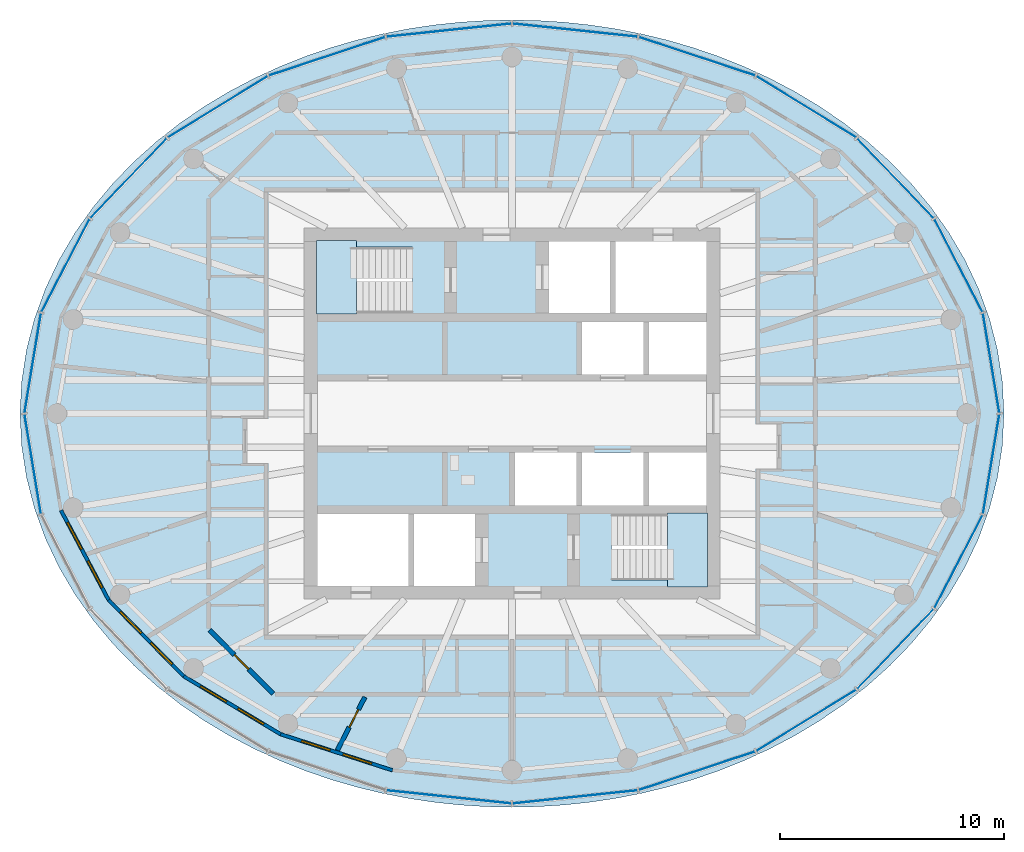
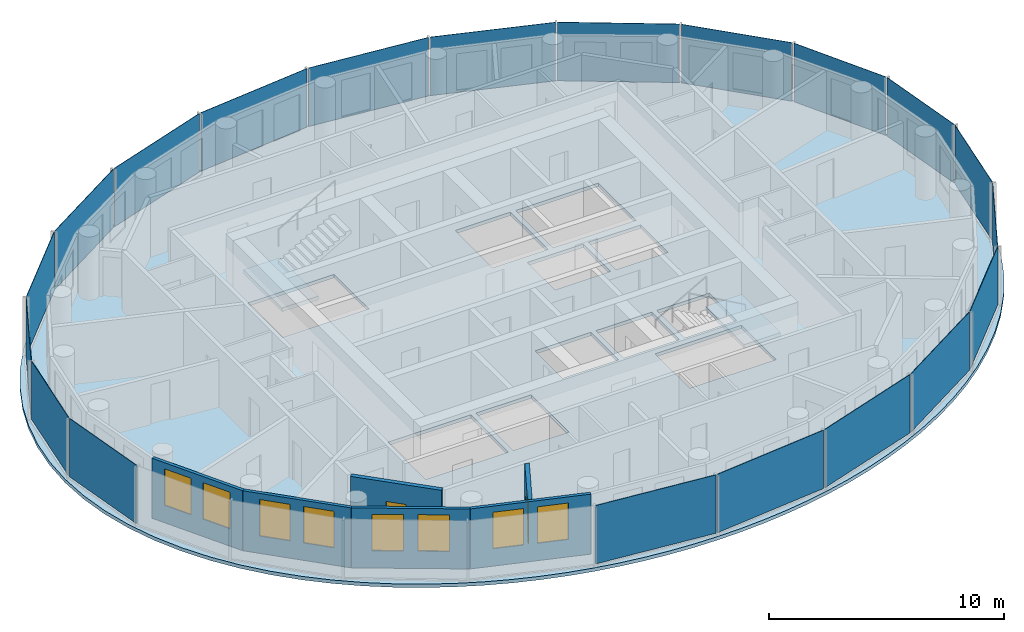
# One storey, part 4 of 12: 20 plates, 8 windows, 6 walls, 3 slabs, 2 doors, 10 openings, 6 elements without a shape of their own.
"""IFC4 building model written with IfcOpenShell, lengths in metres."""

import ifcopenshell
import ifcopenshell.guid

model = None  # the IFC model being written
_history = None  # IfcOwnerHistory: only IFC2X3 demands one
_inside = {}  # id of a spatial element -> (the spatial element, [elements in it])
_under = {}  # id of a project, library or spatial element -> (it, [spatial elements below it])
_declared = {}  # id of a project -> (the project, [libraries it declares])
_typed = {}  # id of a type object -> (the type object, [elements of that type])
_made_of = {}  # id of a material, layer set ... -> (it, [elements and type objects made of it])


def new_model(schema):
    """Start an empty IFC model of exactly this schema.

    Asked for "IFC4X3", IfcOpenShell would pick the latest addendum, in which some entities
    have other attributes; the version numbers below select the first issue.
    IFC2X3 requires an IfcOwnerHistory on every rooted entity: one is made here for all.
    """
    global model, _history
    if schema == "IFC4X3":
        model = ifcopenshell.file(schema_version=(4, 3, 0, 0))
    else:
        model = ifcopenshell.file(schema=schema)
    _inside.clear()
    _under.clear()
    _declared.clear()
    _typed.clear()
    _made_of.clear()
    _history = None
    if model.schema == "IFC2X3":
        org = make("IfcOrganization", Name="unknown")
        user = make(
            "IfcPersonAndOrganization",
            ThePerson=make("IfcPerson", FamilyName="unknown"),
            TheOrganization=org,
        )
        app = make(
            "IfcApplication",
            ApplicationDeveloper=org,
            Version="unknown",
            ApplicationFullName="unknown",
            ApplicationIdentifier="unknown",
        )
        _history = make(
            "IfcOwnerHistory",
            OwningUser=user,
            OwningApplication=app,
            ChangeAction="ADDED",
            CreationDate=0,
        )
    return model


def make(cls, **values):
    """One entity of the class cls with the attributes given. An attribute that is None is left unset."""
    return model.create_entity(
        cls, **{name: value for name, value in values.items() if value is not None}
    )


def rooted(cls, **values):
    """An entity with a GlobalId (a new one), such as an element, a storey or a relation."""
    return make(cls, GlobalId=ifcopenshell.guid.new(), OwnerHistory=_history, **values)


def si_unit(unit_type, name, prefix=None):
    """IfcSIUnit, for example si_unit("LENGTHUNIT", "METRE", prefix="MILLI")."""
    return make("IfcSIUnit", UnitType=unit_type, Prefix=prefix, Name=name)


def assignment(units):
    """IfcUnitAssignment: the units of a project."""
    return None if units is None else make("IfcUnitAssignment", Units=units)


def point(xyz):
    """IfcCartesianPoint."""
    return None if xyz is None else make("IfcCartesianPoint", Coordinates=xyz)


def direction(xyz):
    """IfcDirection."""
    return None if xyz is None else make("IfcDirection", DirectionRatios=xyz)


def frame(location, z_axis=None, x_axis=None):
    """IfcAxis2Placement3D, a coordinate frame: its origin and axes. An axis left out is left unset."""
    return make(
        "IfcAxis2Placement3D",
        Location=point(location),
        Axis=direction(z_axis),
        RefDirection=direction(x_axis),
    )


def frame_2d(location, x_axis=None):
    """IfcAxis2Placement2D, a coordinate frame in the plane: its origin and x axis."""
    return make(
        "IfcAxis2Placement2D", Location=point(location), RefDirection=direction(x_axis)
    )


def origin():
    """The frame at (0, 0, 0) with its axes left unset."""
    return frame((0.0, 0.0, 0.0))


def origin_2d():
    """The frame at (0, 0) in the plane with its x axis left unset."""
    return frame_2d((0.0, 0.0))


def place(relative_to, where):
    """IfcLocalPlacement: puts the frame where relative to a parent placement (None: the world)."""
    return make(
        "IfcLocalPlacement", PlacementRelTo=relative_to, RelativePlacement=where
    )


def context(
    kind, dimensions, precision=None, world=None, true_north=None, identifier=None
):
    """IfcGeometricRepresentationContext, for example the 3D "Model" context."""
    return make(
        "IfcGeometricRepresentationContext",
        ContextIdentifier=identifier,
        ContextType=kind,
        CoordinateSpaceDimension=dimensions,
        Precision=precision,
        WorldCoordinateSystem=world,
        TrueNorth=true_north,
    )


def subcontext(parent, identifier, kind, view, scale=None):
    """IfcGeometricRepresentationSubContext, for example "Body" below "Model"."""
    return make(
        "IfcGeometricRepresentationSubContext",
        ContextIdentifier=identifier,
        ContextType=kind,
        ParentContext=parent,
        TargetScale=scale,
        TargetView=view,
    )


def project(units=None, contexts=None):
    """IfcProject with its units and contexts."""
    return rooted(
        "IfcProject",
        Name="project",
        RepresentationContexts=contexts,
        UnitsInContext=assignment(units),
    )


def spatial(cls, under=None, at=None, **own):
    """A site, building, storey or space (cls), placed at a placement, below another one or the project."""
    s = rooted(cls, ObjectPlacement=at, **own)
    if under is not None:
        _under.setdefault(under.id(), (under, []))[1].append(s)
    return s


def polyline(points):
    """IfcPolyline through the points."""
    return make("IfcPolyline", Points=[point(p) for p in points])


def profile(cls, at=None, kind="AREA", **sizes):
    """A parametric profile (cls). Its sizes go by their IFC names, for example OverallWidth=200.0."""
    return make(cls, ProfileType=kind, Position=at, **sizes)


def rectangle(**sizes):
    """IfcRectangleProfileDef."""
    return profile("IfcRectangleProfileDef", **sizes)


def outline(outer, holes=None, kind="AREA"):
    """IfcArbitraryClosedProfileDef: a profile drawn as a closed curve; with holes, ...WithVoids."""
    if holes is None:
        return make("IfcArbitraryClosedProfileDef", ProfileType=kind, OuterCurve=outer)
    return make(
        "IfcArbitraryProfileDefWithVoids",
        ProfileType=kind,
        OuterCurve=outer,
        InnerCurves=holes,
    )


def extrude(swept, where, along, depth):
    """IfcExtrudedAreaSolid: the profile swept, set in the frame where, extruded along a direction by depth."""
    return make(
        "IfcExtrudedAreaSolid",
        SweptArea=swept,
        Position=where,
        ExtrudedDirection=direction(along),
        Depth=depth,
    )


def shape(context_of_items, identifier, shape_type, items):
    """IfcShapeRepresentation: the items that make up one representation, for example the "Body"."""
    return make(
        "IfcShapeRepresentation",
        ContextOfItems=context_of_items,
        RepresentationIdentifier=identifier,
        RepresentationType=shape_type,
        Items=items,
    )


def material(Name=None, Category=None):
    """IfcMaterial."""
    return make("IfcMaterial", Name=Name, Category=Category)


def layer(
    of_material, thickness, ventilated=None, Name=None, Category=None, Priority=None
):
    """IfcMaterialLayer: one layer of a wall or slab, of a material (None: an air gap)."""
    return make(
        "IfcMaterialLayer",
        Material=of_material,
        LayerThickness=thickness,
        IsVentilated=ventilated,
        Name=Name,
        Category=Category,
        Priority=Priority,
    )


def layer_set(layers, Name=None):
    """IfcMaterialLayerSet."""
    return make("IfcMaterialLayerSet", MaterialLayers=layers, LayerSetName=Name)


def made_of(thing, what):
    """Note that an element or type object is made of a material, layer set ...; save() writes the relation."""
    if what is not None:
        _made_of.setdefault(what.id(), (what, []))[1].append(thing)
    return thing


def type_object(cls, material=None, **own):
    """A type object (cls), such as IfcWallType, which elements share."""
    return made_of(rooted(cls, **own), material)


def element(
    cls,
    number,
    at=None,
    inside=None,
    cuts=None,
    type_object=None,
    material=None,
    context=None,
    identifier="Body",
    shape_type=None,
    held_by="IfcProductDefinitionShape",
    body=None,
    shapes=None,
    **own,
):
    """One element of the class cls, such as IfcWall. Its Tag is "e" and its number.

    at: its placement. inside: the storey or other place that contains it. cuts: it is an
    opening in that element (IfcRelVoidsElement). A single representation is given by context,
    identifier, shape_type and body (its items); several are given by shapes. held_by: the class
    of the entity that holds the representations. save() writes the other relations.
    """
    e = rooted(cls, Tag="e%d" % number, ObjectPlacement=at, **own)
    if body is not None:
        shapes = [shape(context, identifier, shape_type, body)]
    if shapes is not None:
        e.Representation = make(held_by, Representations=shapes)
    if inside is not None:
        _inside.setdefault(inside.id(), (inside, []))[1].append(e)
    if cuts is not None:
        rooted(
            "IfcRelVoidsElement", RelatingBuildingElement=cuts, RelatedOpeningElement=e
        )
    if type_object is not None:
        _typed.setdefault(type_object.id(), (type_object, []))[1].append(e)
    return made_of(e, material)


def fill(opening, filler):
    """IfcRelFillsElement: the door or window that sits in an opening."""
    return rooted(
        "IfcRelFillsElement",
        RelatingOpeningElement=opening,
        RelatedBuildingElement=filler,
    )


def aggregate(whole, parts):
    """IfcRelAggregates: a whole, such as a stair, and the parts it consists of."""
    return rooted("IfcRelAggregates", RelatingObject=whole, RelatedObjects=parts)


def save(model, path):
    """Write the relations noted so far, then the file.

    IfcRelAggregates (storeys below a building ...), IfcRelContainedInSpatialStructure (elements
    in a storey), IfcRelDefinesByType, IfcRelAssociatesMaterial and IfcRelDeclares: one each for
    every whole, place, type object, material and project.
    """
    for whole, parts in _under.values():
        aggregate(whole, parts)
    for where, things in _inside.values():
        rooted(
            "IfcRelContainedInSpatialStructure",
            RelatedElements=things,
            RelatingStructure=where,
        )
    for kind, things in _typed.values():
        rooted("IfcRelDefinesByType", RelatedObjects=things, RelatingType=kind)
    for what, things in _made_of.values():
        rooted("IfcRelAssociatesMaterial", RelatedObjects=things, RelatingMaterial=what)
    for by, libraries in _declared.values():
        rooted("IfcRelDeclares", RelatingContext=by, RelatedDefinitions=libraries)
    model.write(path)


model = new_model("IFC4")

# Units and contexts
model_context = context("Model", 3, precision=1e-05, world=origin(), true_north=direction((0.0, 1.0)))
body_context = subcontext(model_context, "Body", "Model", "MODEL_VIEW")
ifc_project = project(units=[si_unit("LENGTHUNIT", "METRE"), si_unit("AREAUNIT", "SQUARE_METRE"), si_unit("VOLUMEUNIT", "CUBIC_METRE"), si_unit("PLANEANGLEUNIT", "RADIAN"), si_unit("MASSUNIT", "GRAM", prefix="KILO")], contexts=[model_context])

# Site, building, storey
site_placement = place(None, origin())
site = spatial("IfcSite", under=ifc_project, at=site_placement, CompositionType="ELEMENT")
building_placement = place(site_placement, origin())
building = spatial("IfcBuilding", under=site, at=building_placement, Name="Hankou Lantern Tower", CompositionType="ELEMENT")
storey_placement = place(building_placement, frame((0.0, 0.0, 222.60009765625)))
storey = spatial("IfcBuildingStorey", under=building, at=storey_placement, Name="L60", CompositionType="ELEMENT", Elevation=222.60009765625)

# Curtain wall, plates
ifc_material_1 = material(Name="Glass, dark grey tinted laminated", Category="glass")
curtain_wall_type = type_object("IfcCurtainWallType", Name="CWD OUTER SKIN SUITE", PredefinedType="USERDEFINED", material=ifc_material_1)
curtain_wall_1_placement = place(storey_placement, origin())
curtain_wall_1 = element("IfcCurtainWall", 1, at=curtain_wall_1_placement, inside=storey, type_object=curtain_wall_type, Name="CWD L60 OS1", ObjectType="OUTER SKIN SUITE", PredefinedType="USERDEFINED")
ifc_material_2 = material(Name="Glass, dark grey tinted laminated", Category="glass")
ifc_layer_1 = layer(ifc_material_2, 0.02392578125)
ifc_layer_set_1 = layer_set([ifc_layer_1], Name="Glass, dark grey tinted laminated")
plate_type = type_object("IfcPlateType", Name="PN1 OUTER SKIN GLASS PANEL", PredefinedType="CURTAIN_PANEL", material=ifc_layer_set_1)
plate_1_placement = place(storey_placement, frame((21.4287109375, 2.2568359375, 0.079833984375), z_axis=(0.0, 0.0, 1.0), x_axis=(-0.162381515188, 0.986728049427, 0.0)))
plate_1 = element("IfcPlate", 2, at=plate_1_placement, type_object=plate_type, Name="CWD glass panel 1", PredefinedType="CURTAIN_PANEL", context=body_context, shape_type="SweptSolid", body=[
    extrude(rectangle(XDim=4.49462890625, YDim=0.02392578125, at=origin_2d()), origin(), (0.0, 0.0, 1.0), 3.0400390625),
])
plate_2_placement = place(storey_placement, frame((19.96826171875, 6.616943359375, 0.079833984375), z_axis=(0.0, 0.0, 1.0), x_axis=(-0.459791091957, 0.888027112062, 0.0)))
plate_2 = element("IfcPlate", 3, at=plate_2_placement, type_object=plate_type, Name="CWD glass panel 2", PredefinedType="CURTAIN_PANEL", context=body_context, shape_type="SweptSolid", body=[
    extrude(rectangle(XDim=4.656494140625, YDim=0.02392578125, at=origin_2d()), origin(), (0.0, 0.0, 1.0), 3.0400390625),
])
plate_3_placement = place(storey_placement, frame((17.147216796875, 10.52587890625, 0.079833984375), z_axis=(0.0, 0.0, 1.0), x_axis=(-0.692215809936, 0.721690565599, 0.0)))
plate_3 = element("IfcPlate", 4, at=plate_3_placement, type_object=plate_type, Name="CWD glass panel 3", PredefinedType="CURTAIN_PANEL", context=body_context, shape_type="SweptSolid", body=[
    extrude(rectangle(XDim=4.9248046875, YDim=0.02392578125, at=origin_2d()), origin(), (0.0, 0.0, 1.0), 3.0400390625),
])
plate_4_placement = place(storey_placement, frame((13.157470703125, 13.7177734375, 0.079833984375), z_axis=(0.0, 0.0, 1.0), x_axis=(-0.852237151549, 0.523155653242, 0.0)))
plate_4 = element("IfcPlate", 5, at=plate_4_placement, type_object=plate_type, Name="CWD glass panel 4", PredefinedType="CURTAIN_PANEL", context=body_context, shape_type="SweptSolid", body=[
    extrude(rectangle(XDim=5.2177734375, YDim=0.02392578125, at=origin_2d()), origin(), (0.0, 0.0, 1.0), 3.0400390625),
])
plate_5_placement = place(storey_placement, frame((8.271240234375, 15.974609375, 0.079833984375), z_axis=(0.0, 0.0, 1.0), x_axis=(-0.949240677293, 0.31455068999, 0.0)))
plate_5 = element("IfcPlate", 6, at=plate_5_placement, type_object=plate_type, Name="CWD glass panel 5", PredefinedType="CURTAIN_PANEL", context=body_context, shape_type="SweptSolid", body=[
    extrude(rectangle(XDim=5.458984375, YDim=0.02392578125, at=origin_2d()), origin(), (0.0, 0.0, 1.0), 3.0400390625),
])
plate_6_placement = place(storey_placement, frame((2.821044921875, 17.142822265625, 0.079833984375), z_axis=(0.0, 0.0, 1.0), x_axis=(-0.994499359107, 0.104742659579, 0.0)))
plate_6 = element("IfcPlate", 7, at=plate_6_placement, type_object=plate_type, Name="CWD glass panel 6", PredefinedType="CURTAIN_PANEL", context=body_context, shape_type="SweptSolid", body=[
    extrude(rectangle(XDim=5.593505859375, YDim=0.02392578125, at=origin_2d()), origin(), (0.0, 0.0, 1.0), 3.0400390625),
])
aggregate(curtain_wall_1, [plate_1, plate_2, plate_3, plate_4, plate_5, plate_6])

curtain_wall_2_placement = place(storey_placement, origin())
curtain_wall_2 = element("IfcCurtainWall", 8, at=curtain_wall_2_placement, inside=storey, type_object=curtain_wall_type, Name="CWD L60 OS2", ObjectType="OUTER SKIN SUITE", PredefinedType="USERDEFINED")
plate_7_placement = place(storey_placement, frame((-2.821044921875, 17.142822265625, 0.079833984375), z_axis=(0.0, 0.0, 1.0), x_axis=(-0.994499359107, -0.104742659579, 0.0)))
plate_7 = element("IfcPlate", 9, at=plate_7_placement, type_object=plate_type, Name="CWD glass panel 1", PredefinedType="CURTAIN_PANEL", context=body_context, shape_type="SweptSolid", body=[
    extrude(rectangle(XDim=5.593505859375, YDim=0.02392578125, at=origin_2d()), origin(), (0.0, 0.0, 1.0), 3.0400390625),
])
plate_8_placement = place(storey_placement, frame((-8.271240234375, 15.974609375, 0.079833984375), z_axis=(0.0, 0.0, 1.0), x_axis=(-0.949240677293, -0.31455068999, 0.0)))
plate_8 = element("IfcPlate", 10, at=plate_8_placement, type_object=plate_type, Name="CWD glass panel 2", PredefinedType="CURTAIN_PANEL", context=body_context, shape_type="SweptSolid", body=[
    extrude(rectangle(XDim=5.458984375, YDim=0.02392578125, at=origin_2d()), origin(), (0.0, 0.0, 1.0), 3.0400390625),
])
plate_9_placement = place(storey_placement, frame((-13.157470703125, 13.7177734375, 0.079833984375), z_axis=(0.0, 0.0, 1.0), x_axis=(-0.852237151549, -0.523155653242, 0.0)))
plate_9 = element("IfcPlate", 11, at=plate_9_placement, type_object=plate_type, Name="CWD glass panel 3", PredefinedType="CURTAIN_PANEL", context=body_context, shape_type="SweptSolid", body=[
    extrude(rectangle(XDim=5.2177734375, YDim=0.02392578125, at=origin_2d()), origin(), (0.0, 0.0, 1.0), 3.0400390625),
])
plate_10_placement = place(storey_placement, frame((-17.147216796875, 10.52587890625, 0.079833984375), z_axis=(0.0, 0.0, 1.0), x_axis=(-0.692215809936, -0.721690565599, 0.0)))
plate_10 = element("IfcPlate", 12, at=plate_10_placement, type_object=plate_type, Name="CWD glass panel 4", PredefinedType="CURTAIN_PANEL", context=body_context, shape_type="SweptSolid", body=[
    extrude(rectangle(XDim=4.9248046875, YDim=0.02392578125, at=origin_2d()), origin(), (0.0, 0.0, 1.0), 3.0400390625),
])
plate_11_placement = place(storey_placement, frame((-19.96826171875, 6.616943359375, 0.079833984375), z_axis=(0.0, 0.0, 1.0), x_axis=(-0.459791091957, -0.888027112062, 0.0)))
plate_11 = element("IfcPlate", 13, at=plate_11_placement, type_object=plate_type, Name="CWD glass panel 5", PredefinedType="CURTAIN_PANEL", context=body_context, shape_type="SweptSolid", body=[
    extrude(rectangle(XDim=4.656494140625, YDim=0.02392578125, at=origin_2d()), origin(), (0.0, 0.0, 1.0), 3.0400390625),
])
plate_12_placement = place(storey_placement, frame((-21.4287109375, 2.2568359375, 0.079833984375), z_axis=(0.0, 0.0, 1.0), x_axis=(-0.162381515188, -0.986728049427, 0.0)))
plate_12 = element("IfcPlate", 14, at=plate_12_placement, type_object=plate_type, Name="CWD glass panel 6", PredefinedType="CURTAIN_PANEL", context=body_context, shape_type="SweptSolid", body=[
    extrude(rectangle(XDim=4.49462890625, YDim=0.02392578125, at=origin_2d()), origin(), (0.0, 0.0, 1.0), 3.0400390625),
])
aggregate(curtain_wall_2, [plate_7, plate_8, plate_9, plate_10, plate_11, plate_12])

curtain_wall_3_placement = place(storey_placement, origin())
curtain_wall_3 = element("IfcCurtainWall", 15, at=curtain_wall_3_placement, inside=storey, type_object=curtain_wall_type, Name="CWD L60 OS3", ObjectType="OUTER SKIN SUITE", PredefinedType="USERDEFINED")
plate_13_placement = place(storey_placement, frame((-21.4287109375, -2.2568359375, 0.079833984375), z_axis=(0.0, 0.0, 1.0), x_axis=(0.162381515188, -0.986728049427, 0.0)))
plate_13 = element("IfcPlate", 16, at=plate_13_placement, type_object=plate_type, Name="CWD glass panel 1", PredefinedType="CURTAIN_PANEL", context=body_context, shape_type="SweptSolid", body=[
    extrude(rectangle(XDim=4.49462890625, YDim=0.02392578125, at=origin_2d()), origin(), (0.0, 0.0, 1.0), 3.0400390625),
])
plate_14_placement = place(storey_placement, frame((-2.821044921875, -17.142822265625, 0.079833984375), z_axis=(0.0, 0.0, 1.0), x_axis=(0.994499359107, -0.104742659579, 0.0)))
plate_14 = element("IfcPlate", 17, at=plate_14_placement, type_object=plate_type, Name="CWD glass panel 6", PredefinedType="CURTAIN_PANEL", context=body_context, shape_type="SweptSolid", body=[
    extrude(rectangle(XDim=5.593505859375, YDim=0.02392578125, at=origin_2d()), origin(), (0.0, 0.0, 1.0), 3.0400390625),
])
aggregate(curtain_wall_3, [plate_13, plate_14])

curtain_wall_4_placement = place(storey_placement, origin())
curtain_wall_4 = element("IfcCurtainWall", 18, at=curtain_wall_4_placement, inside=storey, type_object=curtain_wall_type, Name="CWD L60 OS4", ObjectType="OUTER SKIN SUITE", PredefinedType="USERDEFINED")
plate_15_placement = place(storey_placement, frame((2.821044921875, -17.142822265625, 0.079833984375), z_axis=(0.0, 0.0, 1.0), x_axis=(0.994499359107, 0.104742659579, 0.0)))
plate_15 = element("IfcPlate", 19, at=plate_15_placement, type_object=plate_type, Name="CWD glass panel 1", PredefinedType="CURTAIN_PANEL", context=body_context, shape_type="SweptSolid", body=[
    extrude(rectangle(XDim=5.593505859375, YDim=0.02392578125, at=origin_2d()), origin(), (0.0, 0.0, 1.0), 3.0400390625),
])
plate_16_placement = place(storey_placement, frame((8.271240234375, -15.974609375, 0.079833984375), z_axis=(0.0, 0.0, 1.0), x_axis=(0.949240677293, 0.31455068999, 0.0)))
plate_16 = element("IfcPlate", 20, at=plate_16_placement, type_object=plate_type, Name="CWD glass panel 2", PredefinedType="CURTAIN_PANEL", context=body_context, shape_type="SweptSolid", body=[
    extrude(rectangle(XDim=5.458984375, YDim=0.02392578125, at=origin_2d()), origin(), (0.0, 0.0, 1.0), 3.0400390625),
])
plate_17_placement = place(storey_placement, frame((13.157470703125, -13.7177734375, 0.079833984375), z_axis=(0.0, 0.0, 1.0), x_axis=(0.852237151549, 0.523155653242, 0.0)))
plate_17 = element("IfcPlate", 21, at=plate_17_placement, type_object=plate_type, Name="CWD glass panel 3", PredefinedType="CURTAIN_PANEL", context=body_context, shape_type="SweptSolid", body=[
    extrude(rectangle(XDim=5.2177734375, YDim=0.02392578125, at=origin_2d()), origin(), (0.0, 0.0, 1.0), 3.0400390625),
])
plate_18_placement = place(storey_placement, frame((17.147216796875, -10.52587890625, 0.079833984375), z_axis=(0.0, 0.0, 1.0), x_axis=(0.692215809936, 0.721690565599, 0.0)))
plate_18 = element("IfcPlate", 22, at=plate_18_placement, type_object=plate_type, Name="CWD glass panel 4", PredefinedType="CURTAIN_PANEL", context=body_context, shape_type="SweptSolid", body=[
    extrude(rectangle(XDim=4.9248046875, YDim=0.02392578125, at=origin_2d()), origin(), (0.0, 0.0, 1.0), 3.0400390625),
])
plate_19_placement = place(storey_placement, frame((19.96826171875, -6.616943359375, 0.079833984375), z_axis=(0.0, 0.0, 1.0), x_axis=(0.459791091957, 0.888027112062, 0.0)))
plate_19 = element("IfcPlate", 23, at=plate_19_placement, type_object=plate_type, Name="CWD glass panel 5", PredefinedType="CURTAIN_PANEL", context=body_context, shape_type="SweptSolid", body=[
    extrude(rectangle(XDim=4.656494140625, YDim=0.02392578125, at=origin_2d()), origin(), (0.0, 0.0, 1.0), 3.0400390625),
])
plate_20_placement = place(storey_placement, frame((21.4287109375, -2.2568359375, 0.079833984375), z_axis=(0.0, 0.0, 1.0), x_axis=(0.162381515188, 0.986728049427, 0.0)))
plate_20 = element("IfcPlate", 24, at=plate_20_placement, type_object=plate_type, Name="CWD glass panel 6", PredefinedType="CURTAIN_PANEL", context=body_context, shape_type="SweptSolid", body=[
    extrude(rectangle(XDim=4.49462890625, YDim=0.02392578125, at=origin_2d()), origin(), (0.0, 0.0, 1.0), 3.0400390625),
])
aggregate(curtain_wall_4, [plate_15, plate_16, plate_17, plate_18, plate_19, plate_20])

# Slab
ifc_material_3 = material(Name="Concrete C50", Category="concrete")
ifc_layer_2 = layer(ifc_material_3, 0.179931640625)
ifc_layer_set_2 = layer_set([ifc_layer_2], Name="Concrete C50")
slab_type_1 = type_object("IfcSlabType", Name="S1 CONCRETE FLOOR SLAB 180", PredefinedType="FLOOR", material=ifc_layer_set_2)
slab_1_placement = place(storey_placement, frame((0.0, 0.0, -0.18017578125)))
element("IfcSlab", 25, at=slab_1_placement, inside=storey, type_object=slab_type_1, Name="Floor slab L60", PredefinedType="FLOOR", context=body_context, shape_type="SweptSolid", body=[
    extrude(outline(polyline([(22.0, 0.0), (21.926513671875, 1.437255859375), (21.7080078125, 2.85791015625), (21.349853515625, 4.246826171875), (20.861083984375, 5.589599609375), (20.252197265625, 6.874755859375), (19.53662109375, 8.09228515625), (18.727783203125, 9.235595703125), (17.83935546875, 10.299560546875), (16.88525390625, 11.2822265625), (15.877197265625, 12.18310546875), (14.82666015625, 13.002685546875), (13.743408203125, 13.743408203125), (12.63525390625, 14.40771484375), (11.509521484375, 14.999267578125), (10.37109375, 15.521728515625), (9.224853515625, 15.97802734375), (8.07373046875, 16.3720703125), (6.920166015625, 16.70654296875), (5.765625, 16.98486328125), (4.611083984375, 17.208984375), (3.457275390625, 17.38134765625), (2.304443359375, 17.503173828125), (1.152099609375, 17.575927734375), (0.0, 17.60009765625), (-1.152099609375, 17.575927734375), (-2.304443359375, 17.503173828125), (-3.457275390625, 17.38134765625), (-4.611083984375, 17.208984375), (-5.765625, 16.98486328125), (-6.920166015625, 16.70654296875), (-8.07373046875, 16.3720703125), (-9.224853515625, 15.97802734375), (-10.37109375, 15.521728515625), (-11.509521484375, 14.999267578125), (-12.63525390625, 14.40771484375), (-13.743408203125, 13.743408203125), (-14.82666015625, 13.002685546875), (-15.877197265625, 12.18310546875), (-16.88525390625, 11.2822265625), (-17.83935546875, 10.299560546875), (-18.727783203125, 9.235595703125), (-19.53662109375, 8.09228515625), (-20.252197265625, 6.874755859375), (-20.861083984375, 5.589599609375), (-21.349853515625, 4.246826171875), (-21.7080078125, 2.85791015625), (-21.926513671875, 1.437255859375), (-22.0, 0.0), (-21.926513671875, -1.437255859375), (-21.7080078125, -2.85791015625), (-21.349853515625, -4.246826171875), (-20.861083984375, -5.589599609375), (-20.252197265625, -6.874755859375), (-19.53662109375, -8.09228515625), (-18.727783203125, -9.235595703125), (-17.83935546875, -10.299560546875), (-16.88525390625, -11.2822265625), (-15.877197265625, -12.18310546875), (-14.82666015625, -13.002685546875), (-13.743408203125, -13.743408203125), (-12.63525390625, -14.40771484375), (-11.509521484375, -14.999267578125), (-10.37109375, -15.521728515625), (-9.224853515625, -15.97802734375), (-8.07373046875, -16.3720703125), (-6.920166015625, -16.70654296875), (-5.765625, -16.98486328125), (-4.611083984375, -17.208984375), (-3.457275390625, -17.38134765625), (-2.304443359375, -17.503173828125), (-1.152099609375, -17.575927734375), (0.0, -17.60009765625), (1.152099609375, -17.575927734375), (2.304443359375, -17.503173828125), (3.457275390625, -17.38134765625), (4.611083984375, -17.208984375), (5.765625, -16.98486328125), (6.920166015625, -16.70654296875), (8.07373046875, -16.3720703125), (9.224853515625, -15.97802734375), (10.37109375, -15.521728515625), (11.509521484375, -14.999267578125), (12.63525390625, -14.40771484375), (13.743408203125, -13.743408203125), (14.82666015625, -13.002685546875), (15.877197265625, -12.18310546875), (16.88525390625, -11.2822265625), (17.83935546875, -10.299560546875), (18.727783203125, -9.235595703125), (19.53662109375, -8.09228515625), (20.252197265625, -6.874755859375), (20.861083984375, -5.589599609375), (21.349853515625, -4.246826171875), (21.7080078125, -2.85791015625), (21.926513671875, -1.437255859375), (22.0, 0.0)]), holes=[polyline([(3.125, 4.10009765625), (5.875, 4.10009765625), (5.875, 1.75), (3.125, 1.75), (3.125, 4.10009765625)]), polyline([(6.125, 4.10009765625), (8.699951171875, 4.10009765625), (8.699951171875, 1.75), (6.125, 1.75), (6.125, 4.10009765625)]), polyline([(0.125, -1.75), (2.875, -1.75), (2.875, -4.10009765625), (0.125, -4.10009765625), (0.125, -1.75)]), polyline([(3.125, -1.75), (5.875, -1.75), (5.875, -4.10009765625), (3.125, -4.10009765625), (3.125, -1.75)]), polyline([(6.125, -1.75), (8.699951171875, -1.75), (8.699951171875, -4.10009765625), (6.125, -4.10009765625), (6.125, -1.75)]), polyline([(1.64990234375, 7.699951171875), (4.375, 7.699951171875), (4.375, 4.5), (1.64990234375, 4.5), (1.64990234375, 7.699951171875)]), polyline([(-4.375, -4.5), (-1.64990234375, -4.5), (-1.64990234375, -7.699951171875), (-4.375, -7.699951171875), (-4.375, -4.5)]), polyline([(-8.699951171875, 7.449951171875), (-4.449951171875, 7.449951171875), (-4.449951171875, 4.5), (-8.699951171875, 4.5), (-8.699951171875, 7.449951171875)]), polyline([(4.449951171875, -4.5), (8.699951171875, -4.5), (8.699951171875, -7.449951171875), (4.449951171875, -7.449951171875), (4.449951171875, -4.5)]), polyline([(4.625, 7.699951171875), (8.699951171875, 7.699951171875), (8.699951171875, 4.5), (4.625, 4.5), (4.625, 7.699951171875)]), polyline([(-8.699951171875, -4.5), (-4.625, -4.5), (-4.625, -7.699951171875), (-8.699951171875, -7.699951171875), (-8.699951171875, -4.5)])]), origin(), (0.0, 0.0, 1.0), 0.18017578125),
])

# Stair, slab
ifc_material_4 = material(Name="Concrete C40", Category="concrete")
stair_type = type_object("IfcStairType", Name="ST33 CORE STAIR 3300 RISE", PredefinedType="HALF_TURN_STAIR", material=ifc_material_4)
stair_1_placement = place(storey_placement, origin())
stair_1 = element("IfcStair", 26, at=stair_1_placement, inside=storey, type_object=stair_type, Name="Stair STA L60", PredefinedType="HALF_TURN_STAIR")
ifc_material_5 = material(Name="Concrete C40", Category="concrete")
ifc_layer_3 = layer(ifc_material_5, 0.199951171875)
ifc_layer_set_3 = layer_set([ifc_layer_3], Name="Concrete C40")
slab_type_2 = type_object("IfcSlabType", Name="SL1 STAIR LANDING 200", PredefinedType="LANDING", material=ifc_layer_set_3)
slab_2_placement = place(storey_placement, frame((0.0, 0.0, 1.371337890625)))
slab_2 = element("IfcSlab", 27, at=slab_2_placement, type_object=slab_type_2, Name="STA landing 1", PredefinedType="LANDING", context=body_context, shape_type="SweptSolid", body=[
    extrude(outline(polyline([(-8.75, 4.449951171875), (-6.949951171875, 4.449951171875), (-6.949951171875, 7.75), (-8.75, 7.75), (-8.75, 4.449951171875)])), origin(), (0.0, 0.0, 1.0), 0.199951171875),
])
aggregate(stair_1, [slab_2])

stair_2_placement = place(storey_placement, origin())
stair_2 = element("IfcStair", 28, at=stair_2_placement, inside=storey, type_object=stair_type, Name="Stair STB L60", PredefinedType="HALF_TURN_STAIR")
slab_3_placement = place(storey_placement, frame((0.0, 0.0, 1.371337890625)))
slab_3 = element("IfcSlab", 29, at=slab_3_placement, type_object=slab_type_2, Name="STB landing 1", PredefinedType="LANDING", context=body_context, shape_type="SweptSolid", body=[
    extrude(outline(polyline([(8.75, -4.449951171875), (6.949951171875, -4.449951171875), (6.949951171875, -7.75), (8.75, -7.75), (8.75, -4.449951171875)])), origin(), (0.0, 0.0, 1.0), 0.199951171875),
])
aggregate(stair_2, [slab_3])

# Wall, openings, windows
ifc_material_6 = material(Name="Aluminium spandrel panel on steel studs", Category="steel")
ifc_layer_4 = layer(ifc_material_6, 0.14990234375)
ifc_layer_set_4 = layer_set([ifc_layer_4], Name="Aluminium spandrel panel on steel studs")
wall_type_1 = type_object("IfcWallType", Name="EW1 INNER SKIN WALL 150", PredefinedType="ELEMENTEDWALL", material=ifc_layer_set_4)
wall_1_placement = place(storey_placement, frame((-20.169677734375, -4.323486328125, 0.0), z_axis=(0.0, 0.0, 1.0), x_axis=(0.469256152955, -0.883062094597, 0.0)))
wall_1 = element("IfcWall", 30, at=wall_1_placement, inside=storey, type_object=wall_type_1, Name="Inner skin R14-R15 L60", PredefinedType="ELEMENTEDWALL", context=body_context, shape_type="SweptSolid", body=[
    extrude(rectangle(XDim=4.539306640625, YDim=0.14990234375, at=frame_2d((2.26953125, 0.0))), origin(), (0.0, 0.0, 1.0), 3.119873046875),
])
opening_1_placement = place(wall_1_placement, frame((0.61962890625, 0.0, 0.89990234375)))
opening_1 = element("IfcOpeningElement", 31, at=opening_1_placement, cuts=wall_1, Name="Opening W4", PredefinedType="OPENING", context=body_context, shape_type="SweptSolid", body=[
    extrude(rectangle(XDim=1.35009765625, YDim=1.89990234375, at=frame_2d((0.675048828125, 0.949951171875))), frame((0.0, 0.0849609375, 0.0), z_axis=(0.0, -1.0, 0.0), x_axis=(1.0, 0.0, 0.0)), (0.0, 0.0, 1.0), 0.169921875),
])
opening_2_placement = place(wall_1_placement, frame((2.569580078125, 0.0, 0.89990234375)))
opening_2 = element("IfcOpeningElement", 32, at=opening_2_placement, cuts=wall_1, Name="Opening W4", PredefinedType="OPENING", context=body_context, shape_type="SweptSolid", body=[
    extrude(rectangle(XDim=1.35009765625, YDim=1.89990234375, at=frame_2d((0.675048828125, 0.949951171875))), frame((0.0, 0.0849609375, 0.0), z_axis=(0.0, -1.0, 0.0), x_axis=(1.0, 0.0, 0.0)), (0.0, 0.0, 1.0), 0.169921875),
])
ifc_material_7 = material(Name="Aluminium framed double glazed window", Category="aluminium")
window_type = type_object("IfcWindowType", Name="W4 SUITE WINDOW 1350X1900", PartitioningType="DOUBLE_PANEL_VERTICAL", PredefinedType="WINDOW", material=ifc_material_7)
window_1_placement = place(opening_1_placement, origin())
window_1 = element("IfcWindow", 33, at=window_1_placement, inside=storey, type_object=window_type, Name="Window R14.1 L60", OverallHeight=1.89990234375, OverallWidth=1.35009765625, PartitioningType="SINGLE_PANEL", PredefinedType="WINDOW", context=body_context, shape_type="SweptSolid", body=[
    extrude(rectangle(XDim=1.35009765625, YDim=1.89990234375, at=frame_2d((0.675048828125, 0.949951171875))), frame((0.0, 0.030029296875, 0.0), z_axis=(0.0, -1.0, 0.0), x_axis=(1.0, 0.0, 0.0)), (0.0, 0.0, 1.0), 0.06005859375),
])
fill(opening_1, window_1)
window_2_placement = place(opening_2_placement, origin())
window_2 = element("IfcWindow", 34, at=window_2_placement, inside=storey, type_object=window_type, Name="Window R14.2 L60", OverallHeight=1.89990234375, OverallWidth=1.35009765625, PartitioningType="SINGLE_PANEL", PredefinedType="WINDOW", context=body_context, shape_type="SweptSolid", body=[
    extrude(rectangle(XDim=1.35009765625, YDim=1.89990234375, at=frame_2d((0.675048828125, 0.949951171875))), frame((0.0, 0.030029296875, 0.0), z_axis=(0.0, -1.0, 0.0), x_axis=(1.0, 0.0, 0.0)), (0.0, 0.0, 1.0), 0.06005859375),
])
fill(opening_2, window_2)

wall_2_placement = place(storey_placement, frame((-18.03955078125, -8.33203125, 0.0), z_axis=(0.0, 0.0, 1.0), x_axis=(0.701527379618, -0.712642501993, 0.0)))
wall_2 = element("IfcWall", 35, at=wall_2_placement, inside=storey, type_object=wall_type_1, Name="Inner skin R15-R16 L60", PredefinedType="ELEMENTEDWALL", context=body_context, shape_type="SweptSolid", body=[
    extrude(rectangle(XDim=4.788330078125, YDim=0.14990234375, at=frame_2d((2.39404296875, 0.0))), origin(), (0.0, 0.0, 1.0), 3.119873046875),
])
opening_3_placement = place(wall_2_placement, frame((0.744140625, 0.0, 0.89990234375)))
opening_3 = element("IfcOpeningElement", 36, at=opening_3_placement, cuts=wall_2, Name="Opening W4", PredefinedType="OPENING", context=body_context, shape_type="SweptSolid", body=[
    extrude(rectangle(XDim=1.35009765625, YDim=1.89990234375, at=frame_2d((0.675048828125, 0.949951171875))), frame((0.0, 0.0849609375, 0.0), z_axis=(0.0, -1.0, 0.0), x_axis=(1.0, 0.0, 0.0)), (0.0, 0.0, 1.0), 0.169921875),
])
opening_4_placement = place(wall_2_placement, frame((2.694091796875, 0.0, 0.89990234375)))
opening_4 = element("IfcOpeningElement", 37, at=opening_4_placement, cuts=wall_2, Name="Opening W4", PredefinedType="OPENING", context=body_context, shape_type="SweptSolid", body=[
    extrude(rectangle(XDim=1.35009765625, YDim=1.89990234375, at=frame_2d((0.675048828125, 0.949951171875))), frame((0.0, 0.0849609375, 0.0), z_axis=(0.0, -1.0, 0.0), x_axis=(1.0, 0.0, 0.0)), (0.0, 0.0, 1.0), 0.169921875),
])
window_3_placement = place(opening_3_placement, origin())
window_3 = element("IfcWindow", 38, at=window_3_placement, inside=storey, type_object=window_type, Name="Window R15.1 L60", OverallHeight=1.89990234375, OverallWidth=1.35009765625, PartitioningType="SINGLE_PANEL", PredefinedType="WINDOW", context=body_context, shape_type="SweptSolid", body=[
    extrude(rectangle(XDim=1.35009765625, YDim=1.89990234375, at=frame_2d((0.675048828125, 0.949951171875))), frame((0.0, 0.030029296875, 0.0), z_axis=(0.0, -1.0, 0.0), x_axis=(1.0, 0.0, 0.0)), (0.0, 0.0, 1.0), 0.06005859375),
])
fill(opening_3, window_3)
window_4_placement = place(opening_4_placement, origin())
window_4 = element("IfcWindow", 39, at=window_4_placement, inside=storey, type_object=window_type, Name="Window R15.2 L60", OverallHeight=1.89990234375, OverallWidth=1.35009765625, PartitioningType="SINGLE_PANEL", PredefinedType="WINDOW", context=body_context, shape_type="SweptSolid", body=[
    extrude(rectangle(XDim=1.35009765625, YDim=1.89990234375, at=frame_2d((0.675048828125, 0.949951171875))), frame((0.0, 0.030029296875, 0.0), z_axis=(0.0, -1.0, 0.0), x_axis=(1.0, 0.0, 0.0)), (0.0, 0.0, 1.0), 0.06005859375),
])
fill(opening_4, window_4)

wall_3_placement = place(storey_placement, frame((-14.680419921875, -11.744384765625, 0.0), z_axis=(0.0, 0.0, 1.0), x_axis=(0.85822150553, -0.513279502265, 0.0)))
wall_3 = element("IfcWall", 40, at=wall_3_placement, inside=storey, type_object=wall_type_1, Name="Inner skin R16-R17 L60", PredefinedType="ELEMENTEDWALL", context=body_context, shape_type="SweptSolid", body=[
    extrude(rectangle(XDim=5.050048828125, YDim=0.14990234375, at=frame_2d((2.52490234375, 0.0))), origin(), (0.0, 0.0, 1.0), 3.119873046875),
])
opening_5_placement = place(wall_3_placement, frame((0.875, 0.0, 0.89990234375)))
opening_5 = element("IfcOpeningElement", 41, at=opening_5_placement, cuts=wall_3, Name="Opening W4", PredefinedType="OPENING", context=body_context, shape_type="SweptSolid", body=[
    extrude(rectangle(XDim=1.35009765625, YDim=1.89990234375, at=frame_2d((0.675048828125, 0.949951171875))), frame((0.0, 0.0849609375, 0.0), z_axis=(0.0, -1.0, 0.0), x_axis=(1.0, 0.0, 0.0)), (0.0, 0.0, 1.0), 0.169921875),
])
opening_6_placement = place(wall_3_placement, frame((2.824951171875, 0.0, 0.89990234375)))
opening_6 = element("IfcOpeningElement", 42, at=opening_6_placement, cuts=wall_3, Name="Opening W4", PredefinedType="OPENING", context=body_context, shape_type="SweptSolid", body=[
    extrude(rectangle(XDim=1.35009765625, YDim=1.89990234375, at=frame_2d((0.675048828125, 0.949951171875))), frame((0.0, 0.0849609375, 0.0), z_axis=(0.0, -1.0, 0.0), x_axis=(1.0, 0.0, 0.0)), (0.0, 0.0, 1.0), 0.169921875),
])
window_5_placement = place(opening_5_placement, origin())
window_5 = element("IfcWindow", 43, at=window_5_placement, inside=storey, type_object=window_type, Name="Window R16.1 L60", OverallHeight=1.89990234375, OverallWidth=1.35009765625, PartitioningType="SINGLE_PANEL", PredefinedType="WINDOW", context=body_context, shape_type="SweptSolid", body=[
    extrude(rectangle(XDim=1.35009765625, YDim=1.89990234375, at=frame_2d((0.675048828125, 0.949951171875))), frame((0.0, 0.030029296875, 0.0), z_axis=(0.0, -1.0, 0.0), x_axis=(1.0, 0.0, 0.0)), (0.0, 0.0, 1.0), 0.06005859375),
])
fill(opening_5, window_5)
window_6_placement = place(opening_6_placement, origin())
window_6 = element("IfcWindow", 44, at=window_6_placement, inside=storey, type_object=window_type, Name="Window R16.2 L60", OverallHeight=1.89990234375, OverallWidth=1.35009765625, PartitioningType="SINGLE_PANEL", PredefinedType="WINDOW", context=body_context, shape_type="SweptSolid", body=[
    extrude(rectangle(XDim=1.35009765625, YDim=1.89990234375, at=frame_2d((0.675048828125, 0.949951171875))), frame((0.0, 0.030029296875, 0.0), z_axis=(0.0, -1.0, 0.0), x_axis=(1.0, 0.0, 0.0)), (0.0, 0.0, 1.0), 0.06005859375),
])
fill(opening_6, window_6)

wall_4_placement = place(storey_placement, frame((-10.346435546875, -14.33642578125, 0.0), z_axis=(0.0, 0.0, 1.0), x_axis=(0.951644702515, -0.307200846638, 0.0)))
wall_4 = element("IfcWall", 45, at=wall_4_placement, inside=storey, type_object=wall_type_1, Name="Inner skin R17-R18 L60", PredefinedType="ELEMENTEDWALL", context=body_context, shape_type="SweptSolid", body=[
    extrude(rectangle(XDim=5.2578125, YDim=0.14990234375, at=frame_2d((2.62890625, 0.0))), origin(), (0.0, 0.0, 1.0), 3.119873046875),
])
opening_7_placement = place(wall_4_placement, frame((0.97900390625, 0.0, 0.89990234375)))
opening_7 = element("IfcOpeningElement", 46, at=opening_7_placement, cuts=wall_4, Name="Opening W4", PredefinedType="OPENING", context=body_context, shape_type="SweptSolid", body=[
    extrude(rectangle(XDim=1.35009765625, YDim=1.89990234375, at=frame_2d((0.675048828125, 0.949951171875))), frame((0.0, 0.0849609375, 0.0), z_axis=(0.0, -1.0, 0.0), x_axis=(1.0, 0.0, 0.0)), (0.0, 0.0, 1.0), 0.169921875),
])
opening_8_placement = place(wall_4_placement, frame((2.928955078125, 0.0, 0.89990234375)))
opening_8 = element("IfcOpeningElement", 47, at=opening_8_placement, cuts=wall_4, Name="Opening W4", PredefinedType="OPENING", context=body_context, shape_type="SweptSolid", body=[
    extrude(rectangle(XDim=1.35009765625, YDim=1.89990234375, at=frame_2d((0.675048828125, 0.949951171875))), frame((0.0, 0.0849609375, 0.0), z_axis=(0.0, -1.0, 0.0), x_axis=(1.0, 0.0, 0.0)), (0.0, 0.0, 1.0), 0.169921875),
])
window_7_placement = place(opening_7_placement, origin())
window_7 = element("IfcWindow", 48, at=window_7_placement, inside=storey, type_object=window_type, Name="Window R17.1 L60", OverallHeight=1.89990234375, OverallWidth=1.35009765625, PartitioningType="SINGLE_PANEL", PredefinedType="WINDOW", context=body_context, shape_type="SweptSolid", body=[
    extrude(rectangle(XDim=1.35009765625, YDim=1.89990234375, at=frame_2d((0.675048828125, 0.949951171875))), frame((0.0, 0.030029296875, 0.0), z_axis=(0.0, -1.0, 0.0), x_axis=(1.0, 0.0, 0.0)), (0.0, 0.0, 1.0), 0.06005859375),
])
fill(opening_7, window_7)
window_8_placement = place(opening_8_placement, origin())
window_8 = element("IfcWindow", 49, at=window_8_placement, inside=storey, type_object=window_type, Name="Window R17.2 L60", OverallHeight=1.89990234375, OverallWidth=1.35009765625, PartitioningType="SINGLE_PANEL", PredefinedType="WINDOW", context=body_context, shape_type="SweptSolid", body=[
    extrude(rectangle(XDim=1.35009765625, YDim=1.89990234375, at=frame_2d((0.675048828125, 0.949951171875))), frame((0.0, 0.030029296875, 0.0), z_axis=(0.0, -1.0, 0.0), x_axis=(1.0, 0.0, 0.0)), (0.0, 0.0, 1.0), 0.06005859375),
])
fill(opening_8, window_8)

# Wall, opening, door
ifc_material_8 = material(Name="Masonry lightweight concrete block", Category="masonry")
ifc_layer_5 = layer(ifc_material_8, 0.199951171875)
ifc_layer_set_5 = layer_set([ifc_layer_5], Name="Masonry lightweight concrete block")
wall_type_2 = type_object("IfcWallType", Name="IW6 SUITE PARTITION 200", PredefinedType="PARTITIONING", material=ifc_layer_set_5)
wall_5_placement = place(storey_placement, frame((-13.520751953125, -9.67919921875, 0.0), z_axis=(0.0, 0.0, 1.0), x_axis=(0.707106781187, -0.707106781187, 0.0)))
wall_5 = element("IfcWall", 50, at=wall_5_placement, inside=storey, type_object=wall_type_2, Name="Suite foyer wall 6004", PredefinedType="PARTITIONING", context=body_context, shape_type="SweptSolid", body=[
    extrude(rectangle(XDim=4.0185546875, YDim=0.199951171875, at=frame_2d((2.00927734375, 0.0))), origin(), (0.0, 0.0, 1.0), 3.119873046875),
])
opening_9_placement = place(wall_5_placement, frame((1.570068359375, 0.0, 0.0)))
opening_9 = element("IfcOpeningElement", 51, at=opening_9_placement, cuts=wall_5, Name="Opening D27", PredefinedType="OPENING", context=body_context, shape_type="SweptSolid", body=[
    extrude(rectangle(XDim=0.89990234375, YDim=2.10009765625, at=frame_2d((0.449951171875, 1.050048828125))), frame((0.0, 0.10986328125, 0.0), z_axis=(0.0, -1.0, 0.0), x_axis=(1.0, 0.0, 0.0)), (0.0, 0.0, 1.0), 0.219970703125),
])
ifc_material_9 = material(Name="Timber door leaf", Category="wood")
door_type = type_object("IfcDoorType", Name="D27 INTERNAL DOOR 900X2100", OperationType="SINGLE_SWING_LEFT", PredefinedType="DOOR", material=ifc_material_9)
door_1_placement = place(opening_9_placement, origin())
door_1 = element("IfcDoor", 52, at=door_1_placement, inside=storey, type_object=door_type, Name="Suite 6004 living room door", OperationType="SINGLE_SWING_RIGHT", OverallHeight=2.10009765625, OverallWidth=0.89990234375, PredefinedType="DOOR", context=body_context, shape_type="SweptSolid", body=[
    extrude(rectangle(XDim=0.89990234375, YDim=2.10009765625, at=frame_2d((0.449951171875, 1.050048828125))), frame((0.0, 0.02490234375, 0.0), z_axis=(0.0, -1.0, 0.0), x_axis=(1.0, 0.0, 0.0)), (0.0, 0.0, 1.0), 0.050048828125),
])
fill(opening_9, door_1)

wall_6_placement = place(storey_placement, frame((-6.578125, -12.676513671875, 0.0), z_axis=(0.0, 0.0, 1.0), x_axis=(-0.460620531465, -0.887597164255, 0.0)))
wall_6 = element("IfcWall", 53, at=wall_6_placement, inside=storey, type_object=wall_type_2, Name="Suite partition R17-R18", PredefinedType="PARTITIONING", context=body_context, shape_type="SweptSolid", body=[
    extrude(rectangle(XDim=2.677734375, YDim=0.199951171875, at=frame_2d((1.3388671875, 0.0))), origin(), (0.0, 0.0, 1.0), 3.119873046875),
])
opening_10_placement = place(wall_6_placement, frame((0.6201171875, 0.0, 0.0)))
opening_10 = element("IfcOpeningElement", 54, at=opening_10_placement, cuts=wall_6, Name="Opening D27", PredefinedType="OPENING", context=body_context, shape_type="SweptSolid", body=[
    extrude(rectangle(XDim=0.89990234375, YDim=2.10009765625, at=frame_2d((0.449951171875, 1.050048828125))), frame((0.0, 0.10986328125, 0.0), z_axis=(0.0, -1.0, 0.0), x_axis=(1.0, 0.0, 0.0)), (0.0, 0.0, 1.0), 0.219970703125),
])
door_2_placement = place(opening_10_placement, origin())
door_2 = element("IfcDoor", 55, at=door_2_placement, inside=storey, type_object=door_type, Name="Suite 6004 bedroom door", OperationType="SINGLE_SWING_LEFT", OverallHeight=2.10009765625, OverallWidth=0.89990234375, PredefinedType="DOOR", context=body_context, shape_type="SweptSolid", body=[
    extrude(rectangle(XDim=0.89990234375, YDim=2.10009765625, at=frame_2d((0.449951171875, 1.050048828125))), frame((0.0, 0.02490234375, 0.0), z_axis=(0.0, -1.0, 0.0), x_axis=(1.0, 0.0, 0.0)), (0.0, 0.0, 1.0), 0.050048828125),
])
fill(opening_10, door_2)

save(model, "model.ifc")
